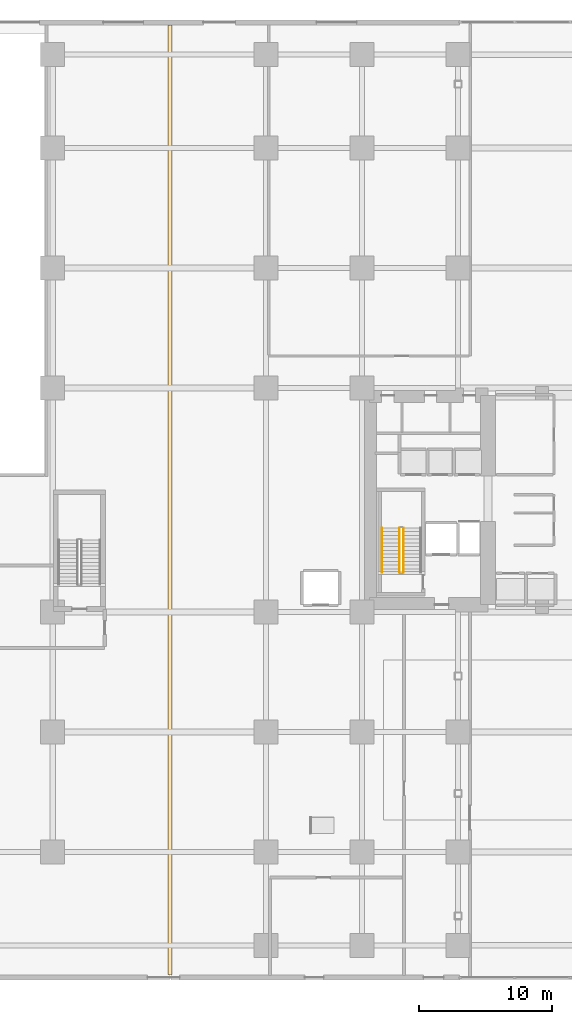
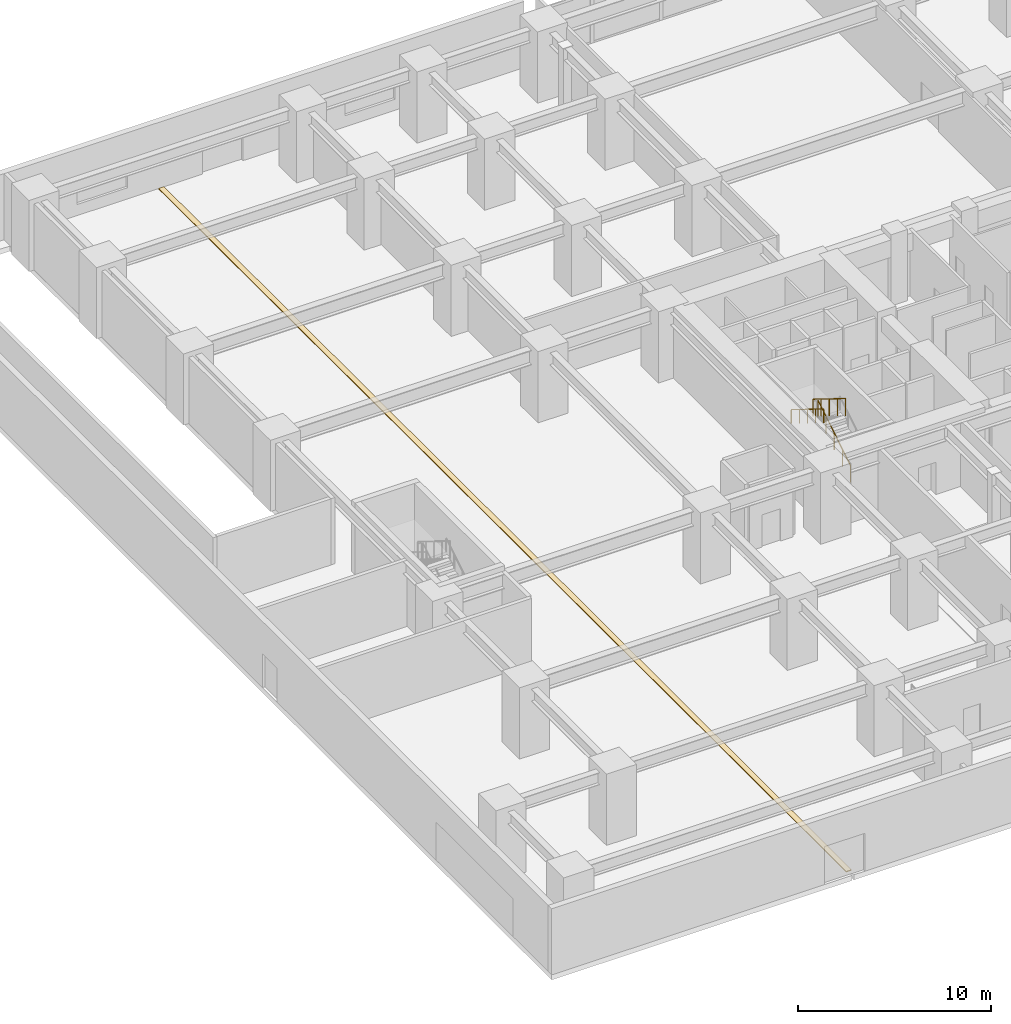
# One storey, part 21 of 26: 3 railings, 1 covering.
"""IFC4 building model written with IfcOpenShell, lengths in metres."""

import ifcopenshell
import ifcopenshell.guid

model = None  # the IFC model being written
_history = None  # IfcOwnerHistory: only IFC2X3 demands one
_inside = {}  # id of a spatial element -> (the spatial element, [elements in it])
_under = {}  # id of a project, library or spatial element -> (it, [spatial elements below it])
_declared = {}  # id of a project -> (the project, [libraries it declares])
_typed = {}  # id of a type object -> (the type object, [elements of that type])
_made_of = {}  # id of a material, layer set ... -> (it, [elements and type objects made of it])


def new_model(schema):
    """Start an empty IFC model of exactly this schema.

    Asked for "IFC4X3", IfcOpenShell would pick the latest addendum, in which some entities
    have other attributes; the version numbers below select the first issue.
    IFC2X3 requires an IfcOwnerHistory on every rooted entity: one is made here for all.
    """
    global model, _history
    if schema == "IFC4X3":
        model = ifcopenshell.file(schema_version=(4, 3, 0, 0))
    else:
        model = ifcopenshell.file(schema=schema)
    _inside.clear()
    _under.clear()
    _declared.clear()
    _typed.clear()
    _made_of.clear()
    _history = None
    if model.schema == "IFC2X3":
        org = make("IfcOrganization", Name="unknown")
        user = make(
            "IfcPersonAndOrganization",
            ThePerson=make("IfcPerson", FamilyName="unknown"),
            TheOrganization=org,
        )
        app = make(
            "IfcApplication",
            ApplicationDeveloper=org,
            Version="unknown",
            ApplicationFullName="unknown",
            ApplicationIdentifier="unknown",
        )
        _history = make(
            "IfcOwnerHistory",
            OwningUser=user,
            OwningApplication=app,
            ChangeAction="ADDED",
            CreationDate=0,
        )
    return model


def make(cls, **values):
    """One entity of the class cls with the attributes given. An attribute that is None is left unset."""
    return model.create_entity(
        cls, **{name: value for name, value in values.items() if value is not None}
    )


def rooted(cls, **values):
    """An entity with a GlobalId (a new one), such as an element, a storey or a relation."""
    return make(cls, GlobalId=ifcopenshell.guid.new(), OwnerHistory=_history, **values)


def si_unit(unit_type, name, prefix=None):
    """IfcSIUnit, for example si_unit("LENGTHUNIT", "METRE", prefix="MILLI")."""
    return make("IfcSIUnit", UnitType=unit_type, Prefix=prefix, Name=name)


def assignment(units):
    """IfcUnitAssignment: the units of a project."""
    return None if units is None else make("IfcUnitAssignment", Units=units)


def point(xyz):
    """IfcCartesianPoint."""
    return None if xyz is None else make("IfcCartesianPoint", Coordinates=xyz)


def direction(xyz):
    """IfcDirection."""
    return None if xyz is None else make("IfcDirection", DirectionRatios=xyz)


def frame(location, z_axis=None, x_axis=None):
    """IfcAxis2Placement3D, a coordinate frame: its origin and axes. An axis left out is left unset."""
    return make(
        "IfcAxis2Placement3D",
        Location=point(location),
        Axis=direction(z_axis),
        RefDirection=direction(x_axis),
    )


def frame_2d(location, x_axis=None):
    """IfcAxis2Placement2D, a coordinate frame in the plane: its origin and x axis."""
    return make(
        "IfcAxis2Placement2D", Location=point(location), RefDirection=direction(x_axis)
    )


def origin():
    """The frame at (0, 0, 0) with its axes left unset."""
    return frame((0.0, 0.0, 0.0))


def origin_2d():
    """The frame at (0, 0) in the plane with its x axis left unset."""
    return frame_2d((0.0, 0.0))


def place(relative_to, where):
    """IfcLocalPlacement: puts the frame where relative to a parent placement (None: the world)."""
    return make(
        "IfcLocalPlacement", PlacementRelTo=relative_to, RelativePlacement=where
    )


def context(
    kind, dimensions, precision=None, world=None, true_north=None, identifier=None
):
    """IfcGeometricRepresentationContext, for example the 3D "Model" context."""
    return make(
        "IfcGeometricRepresentationContext",
        ContextIdentifier=identifier,
        ContextType=kind,
        CoordinateSpaceDimension=dimensions,
        Precision=precision,
        WorldCoordinateSystem=world,
        TrueNorth=true_north,
    )


def subcontext(parent, identifier, kind, view, scale=None):
    """IfcGeometricRepresentationSubContext, for example "Body" below "Model"."""
    return make(
        "IfcGeometricRepresentationSubContext",
        ContextIdentifier=identifier,
        ContextType=kind,
        ParentContext=parent,
        TargetScale=scale,
        TargetView=view,
    )


def project(units=None, contexts=None):
    """IfcProject with its units and contexts."""
    return rooted(
        "IfcProject",
        Name="project",
        RepresentationContexts=contexts,
        UnitsInContext=assignment(units),
    )


def spatial(cls, under=None, at=None, **own):
    """A site, building, storey or space (cls), placed at a placement, below another one or the project."""
    s = rooted(cls, ObjectPlacement=at, **own)
    if under is not None:
        _under.setdefault(under.id(), (under, []))[1].append(s)
    return s


def polyline(points):
    """IfcPolyline through the points."""
    return make("IfcPolyline", Points=[point(p) for p in points])


def profile(cls, at=None, kind="AREA", **sizes):
    """A parametric profile (cls). Its sizes go by their IFC names, for example OverallWidth=200.0."""
    return make(cls, ProfileType=kind, Position=at, **sizes)


def rectangle(**sizes):
    """IfcRectangleProfileDef."""
    return profile("IfcRectangleProfileDef", **sizes)


def outline(outer, holes=None, kind="AREA"):
    """IfcArbitraryClosedProfileDef: a profile drawn as a closed curve; with holes, ...WithVoids."""
    if holes is None:
        return make("IfcArbitraryClosedProfileDef", ProfileType=kind, OuterCurve=outer)
    return make(
        "IfcArbitraryProfileDefWithVoids",
        ProfileType=kind,
        OuterCurve=outer,
        InnerCurves=holes,
    )


def extrude(swept, where, along, depth):
    """IfcExtrudedAreaSolid: the profile swept, set in the frame where, extruded along a direction by depth."""
    return make(
        "IfcExtrudedAreaSolid",
        SweptArea=swept,
        Position=where,
        ExtrudedDirection=direction(along),
        Depth=depth,
    )


def shape(context_of_items, identifier, shape_type, items):
    """IfcShapeRepresentation: the items that make up one representation, for example the "Body"."""
    return make(
        "IfcShapeRepresentation",
        ContextOfItems=context_of_items,
        RepresentationIdentifier=identifier,
        RepresentationType=shape_type,
        Items=items,
    )


def material(Name=None, Category=None):
    """IfcMaterial."""
    return make("IfcMaterial", Name=Name, Category=Category)


def layer(
    of_material, thickness, ventilated=None, Name=None, Category=None, Priority=None
):
    """IfcMaterialLayer: one layer of a wall or slab, of a material (None: an air gap)."""
    return make(
        "IfcMaterialLayer",
        Material=of_material,
        LayerThickness=thickness,
        IsVentilated=ventilated,
        Name=Name,
        Category=Category,
        Priority=Priority,
    )


def layer_set(layers, Name=None):
    """IfcMaterialLayerSet."""
    return make("IfcMaterialLayerSet", MaterialLayers=layers, LayerSetName=Name)


def made_of(thing, what):
    """Note that an element or type object is made of a material, layer set ...; save() writes the relation."""
    if what is not None:
        _made_of.setdefault(what.id(), (what, []))[1].append(thing)
    return thing


def type_object(cls, material=None, **own):
    """A type object (cls), such as IfcWallType, which elements share."""
    return made_of(rooted(cls, **own), material)


def element(
    cls,
    number,
    at=None,
    inside=None,
    cuts=None,
    type_object=None,
    material=None,
    context=None,
    identifier="Body",
    shape_type=None,
    held_by="IfcProductDefinitionShape",
    body=None,
    shapes=None,
    **own,
):
    """One element of the class cls, such as IfcWall. Its Tag is "e" and its number.

    at: its placement. inside: the storey or other place that contains it. cuts: it is an
    opening in that element (IfcRelVoidsElement). A single representation is given by context,
    identifier, shape_type and body (its items); several are given by shapes. held_by: the class
    of the entity that holds the representations. save() writes the other relations.
    """
    e = rooted(cls, Tag="e%d" % number, ObjectPlacement=at, **own)
    if body is not None:
        shapes = [shape(context, identifier, shape_type, body)]
    if shapes is not None:
        e.Representation = make(held_by, Representations=shapes)
    if inside is not None:
        _inside.setdefault(inside.id(), (inside, []))[1].append(e)
    if cuts is not None:
        rooted(
            "IfcRelVoidsElement", RelatingBuildingElement=cuts, RelatedOpeningElement=e
        )
    if type_object is not None:
        _typed.setdefault(type_object.id(), (type_object, []))[1].append(e)
    return made_of(e, material)


def aggregate(whole, parts):
    """IfcRelAggregates: a whole, such as a stair, and the parts it consists of."""
    return rooted("IfcRelAggregates", RelatingObject=whole, RelatedObjects=parts)


def save(model, path):
    """Write the relations noted so far, then the file.

    IfcRelAggregates (storeys below a building ...), IfcRelContainedInSpatialStructure (elements
    in a storey), IfcRelDefinesByType, IfcRelAssociatesMaterial and IfcRelDeclares: one each for
    every whole, place, type object, material and project.
    """
    for whole, parts in _under.values():
        aggregate(whole, parts)
    for where, things in _inside.values():
        rooted(
            "IfcRelContainedInSpatialStructure",
            RelatedElements=things,
            RelatingStructure=where,
        )
    for kind, things in _typed.values():
        rooted("IfcRelDefinesByType", RelatedObjects=things, RelatingType=kind)
    for what, things in _made_of.values():
        rooted("IfcRelAssociatesMaterial", RelatedObjects=things, RelatingMaterial=what)
    for by, libraries in _declared.values():
        rooted("IfcRelDeclares", RelatingContext=by, RelatedDefinitions=libraries)
    model.write(path)


model = new_model("IFC4")

# Units and contexts
model_context = context("Model", 3, precision=1e-05, world=origin(), true_north=direction((0.0, 1.0)))
body_context = subcontext(model_context, "Body", "Model", "MODEL_VIEW")
ifc_project = project(units=[si_unit("LENGTHUNIT", "METRE"), si_unit("AREAUNIT", "SQUARE_METRE"), si_unit("VOLUMEUNIT", "CUBIC_METRE"), si_unit("PLANEANGLEUNIT", "RADIAN"), si_unit("MASSUNIT", "GRAM", prefix="KILO")], contexts=[model_context])

# Site, building, storey
site_placement = place(None, origin())
site = spatial("IfcSite", under=ifc_project, at=site_placement, CompositionType="ELEMENT")
building_placement = place(site_placement, origin())
building = spatial("IfcBuilding", under=site, at=building_placement, Name="Kiyonajd Concourse Tower", CompositionType="ELEMENT")
storey_placement = place(building_placement, origin())
storey = spatial("IfcBuildingStorey", under=building, at=storey_placement, Name="L01", CompositionType="ELEMENT", Elevation=0.0)

# Covering
ifc_material_1 = material(Name="Riyadh Jubaila Limestone", Category="masonry")
ifc_layer = layer(ifc_material_1, 0.050048828125)
ifc_layer_set = layer_set([ifc_layer], Name="Riyadh Jubaila Limestone")
covering_type = type_object("IfcCoveringType", Name="CV-FLR-RAISED", PredefinedType="FLOORING", material=ifc_layer_set)
covering_placement = place(storey_placement, origin())
element("IfcCovering", 1, at=covering_placement, inside=storey, type_object=covering_type, Name="L01 Seismic Movement Joint MJ1 Floor Cover Assembly", PredefinedType="FLOORING", context=body_context, shape_type="SweptSolid", body=[
    extrude(outline(polyline([(17.840087890625, 0.39990234375), (18.159912109375, 0.39990234375), (18.159912109375, 71.60009765625), (17.840087890625, 71.60009765625), (17.840087890625, 0.39990234375)])), origin(), (0.0, 0.0, 1.0), 0.050048828125),
])

# Railings
ifc_material_2 = material(Name="Steel ASTM A500 Grade C", Category="steel")
railing_type_1 = type_object("IfcRailingType", Name="RL-GRD-STR", PredefinedType="GUARDRAIL", material=ifc_material_2)
railing_1_placement = place(storey_placement, frame((35.5, 30.550048828125, 0.173095703125)))
element("IfcRailing", 2, at=railing_1_placement, inside=storey, type_object=railing_type_1, Name="L01 ST1 stair guard 1", PredefinedType="GUARDRAIL", context=body_context, shape_type="SweptSolid", body=[
    extrude(rectangle(XDim=0.048095703125, YDim=0.048095703125, at=origin_2d()), frame((0.0, 0.0, 1.076171875), z_axis=(0.0, 0.850606129759, 0.525803396734), x_axis=(-1.0, 0.0, 0.0)), (0.0, 0.0, 1.0), 3.949951171875),
    extrude(rectangle(XDim=0.0419921875, YDim=0.0419921875, at=origin_2d()), origin(), (0.0, 0.0, 1.0), 1.052001953125),
    extrude(rectangle(XDim=0.0419921875, YDim=0.0419921875, at=origin_2d()), frame((0.0, 0.83984375, 0.519287109375)), (0.0, 0.0, 1.0), 1.052001953125),
    extrude(rectangle(XDim=0.0419921875, YDim=0.0419921875, at=origin_2d()), frame((0.0, 1.679931640625, 1.03857421875)), (0.0, 0.0, 1.0), 1.052001953125),
    extrude(rectangle(XDim=0.0419921875, YDim=0.0419921875, at=origin_2d()), frame((0.0, 2.52001953125, 1.5576171875)), (0.0, 0.0, 1.0), 1.052001953125),
    extrude(rectangle(XDim=0.0419921875, YDim=0.0419921875, at=origin_2d()), frame((0.0, 3.35986328125, 2.076904296875)), (0.0, 0.0, 1.0), 1.052001953125),
])
railing_2_placement = place(storey_placement, frame((35.199951171875, 33.909912109375, 2.423095703125)))
element("IfcRailing", 3, at=railing_2_placement, inside=storey, type_object=railing_type_1, Name="L01 ST1 stair guard 3", PredefinedType="GUARDRAIL", context=body_context, shape_type="SweptSolid", body=[
    extrude(rectangle(XDim=0.048095703125, YDim=0.048095703125, at=origin_2d()), frame((0.0, 0.0, 1.076171875), z_axis=(0.0, -0.850606129759, 0.525803396734), x_axis=(1.0, 0.0, 0.0)), (0.0, 0.0, 1.0), 3.949951171875),
    extrude(rectangle(XDim=0.0419921875, YDim=0.0419921875, at=origin_2d()), origin(), (0.0, 0.0, 1.0), 1.052001953125),
    extrude(rectangle(XDim=0.0419921875, YDim=0.0419921875, at=origin_2d()), frame((0.0, -0.83984375, 0.519287109375)), (0.0, 0.0, 1.0), 1.052001953125),
    extrude(rectangle(XDim=0.0419921875, YDim=0.0419921875, at=origin_2d()), frame((0.0, -1.679931640625, 1.03857421875)), (0.0, 0.0, 1.0), 1.052001953125),
    extrude(rectangle(XDim=0.0419921875, YDim=0.0419921875, at=origin_2d()), frame((0.0, -2.52001953125, 1.5576171875)), (0.0, 0.0, 1.0), 1.052001953125),
    extrude(rectangle(XDim=0.0419921875, YDim=0.0419921875, at=origin_2d()), frame((0.0, -3.35986328125, 2.076904296875)), (0.0, 0.0, 1.0), 1.052001953125),
])
ifc_material_3 = material(Name="Brushed Stainless Steel Cab Assembly", Category="steel")
railing_type_2 = type_object("IfcRailingType", Name="RL-HND-900", PredefinedType="HANDRAIL", material=ifc_material_3)
railing_3_placement = place(storey_placement, frame((33.89990234375, 33.909912109375, 2.423095703125)))
element("IfcRailing", 4, at=railing_3_placement, inside=storey, type_object=railing_type_2, Name="L01 ST1 stair handrail 2", PredefinedType="HANDRAIL", context=body_context, shape_type="SweptSolid", body=[
    extrude(rectangle(XDim=0.048095703125, YDim=0.048095703125, at=origin_2d()), frame((0.0, 0.0, 0.8759765625), z_axis=(0.0, -0.850606129759, 0.525803396734), x_axis=(1.0, 0.0, 0.0)), (0.0, 0.0, 1.0), 3.949951171875),
    extrude(rectangle(XDim=0.0419921875, YDim=0.0419921875, at=origin_2d()), origin(), (0.0, 0.0, 1.0), 0.851806640625),
    extrude(rectangle(XDim=0.0419921875, YDim=0.0419921875, at=origin_2d()), frame((0.0, -0.83984375, 0.519287109375)), (0.0, 0.0, 1.0), 0.851806640625),
    extrude(rectangle(XDim=0.0419921875, YDim=0.0419921875, at=origin_2d()), frame((0.0, -1.679931640625, 1.03857421875)), (0.0, 0.0, 1.0), 0.851806640625),
    extrude(rectangle(XDim=0.0419921875, YDim=0.0419921875, at=origin_2d()), frame((0.0, -2.52001953125, 1.5576171875)), (0.0, 0.0, 1.0), 0.851806640625),
    extrude(rectangle(XDim=0.0419921875, YDim=0.0419921875, at=origin_2d()), frame((0.0, -3.35986328125, 2.076904296875)), (0.0, 0.0, 1.0), 0.851806640625),
])

save(model, "model.ifc")
